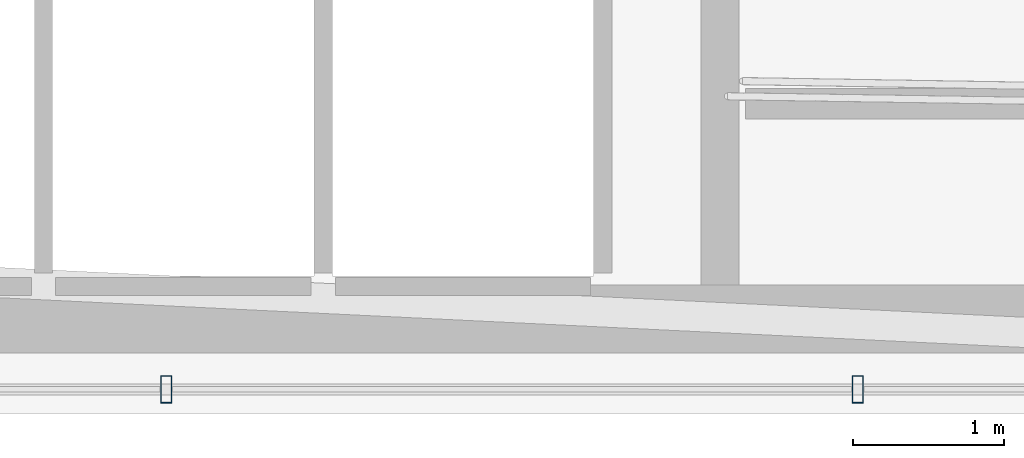
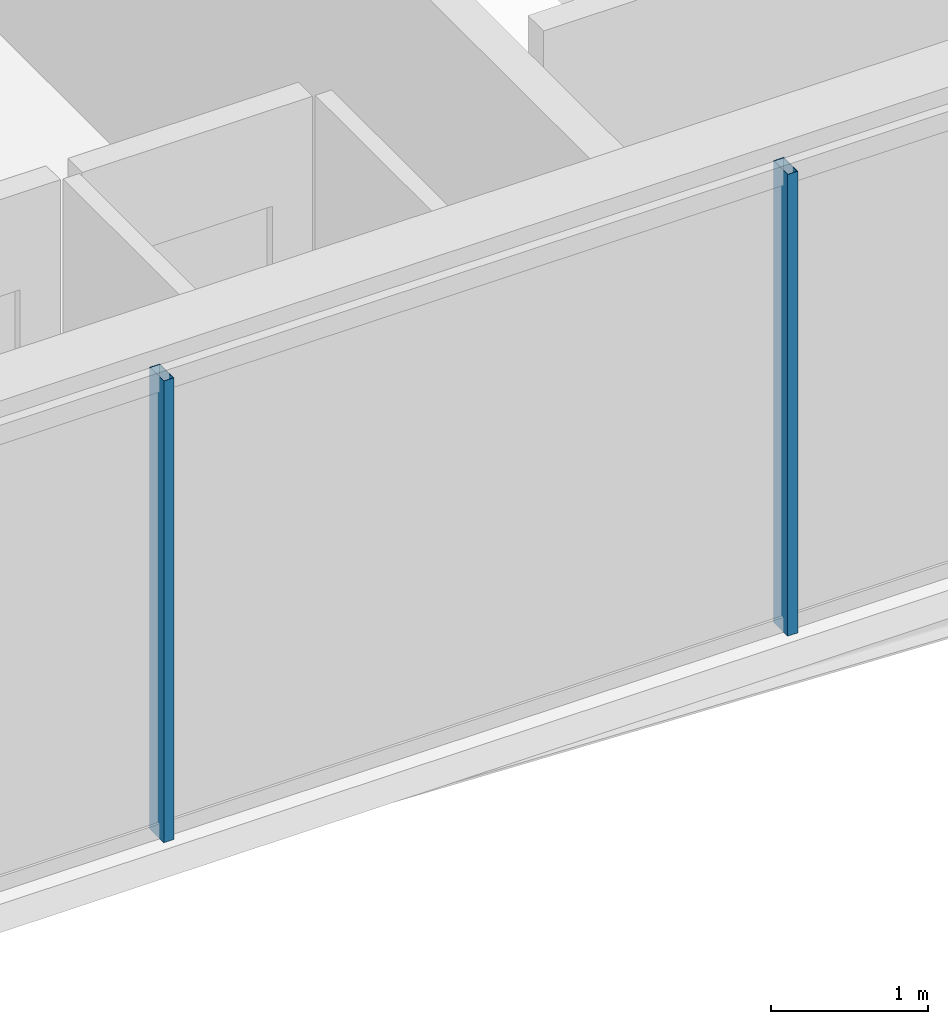
# One storey, part 7 of 32: 2 members, 1 element without a shape of its own.
"""IFC4 building model written with IfcOpenShell, lengths in metres."""

from ifc_helpers import new_model, si_unit, direction, frame, origin, origin_2d, place, context, subcontext, project, spatial, hollow_rectangle, extrude, material, layer, layer_set, material_profile, profile_set, type_object, element, aggregate, save


model = new_model("IFC4")

# Units and contexts
model_context = context("Model", 3, precision=1e-05, world=origin(), true_north=direction((0.0, 1.0)))
body_context = subcontext(model_context, "Body", "Model", "MODEL_VIEW")
ifc_project = project(units=[si_unit("LENGTHUNIT", "METRE"), si_unit("AREAUNIT", "SQUARE_METRE"), si_unit("VOLUMEUNIT", "CUBIC_METRE"), si_unit("PLANEANGLEUNIT", "RADIAN"), si_unit("MASSUNIT", "GRAM", prefix="KILO")], contexts=[model_context])

# Site, building, storey
site_placement = place(None, origin())
site = spatial("IfcSite", under=ifc_project, at=site_placement, CompositionType="ELEMENT")
building_placement = place(site_placement, origin())
building = spatial("IfcBuilding", under=site, at=building_placement, Name="Ndaravel Arena Tower", CompositionType="ELEMENT")
storey_placement = place(building_placement, frame((0.0, 0.0, 70.199951171875)))
storey = spatial("IfcBuildingStorey", under=building, at=storey_placement, Name="L15", CompositionType="ELEMENT", Elevation=70.199951171875)

# Curtain wall, members
ifc_material_1 = material(Name="Aluminium", Category="aluminium")
ifc_layer = layer(ifc_material_1, 0.179931640625)
ifc_layer_set = layer_set([ifc_layer], Name="Aluminium")
curtain_wall_type = type_object("IfcCurtainWallType", Name="CW-SYS-03", PredefinedType="NOTDEFINED", material=ifc_layer_set)
curtain_wall_placement = place(storey_placement, origin())
curtain_wall = element("IfcCurtainWall", 1, at=curtain_wall_placement, inside=storey, type_object=curtain_wall_type, Name="L15 Faceted Crystal Curtain Wall CW-L15-E01", PredefinedType="NOTDEFINED")
ifc_material_2 = material(Name="Aluminium", Category="aluminium")
ifc_material_profile = material_profile(ifc_material_2, hollow_rectangle(XDim=0.074951171875, YDim=0.179931640625, WallThickness=0.00390625, at=origin_2d()), Name="CW MULLION 75x180x4")
ifc_profile_set = profile_set([ifc_material_profile], Name="Aluminium")
member_type = type_object("IfcMemberType", Name="MEM-CW-MUL180", PredefinedType="MULLION", material=ifc_profile_set)
member_1_placement = place(storey_placement, frame((35.136474609375, 5.159912109375, 0.0), z_axis=(0.0, 0.0, 1.0), x_axis=(1.0, 0.0, 0.0)))
member_1 = element("IfcMember", 2, at=member_1_placement, type_object=member_type, Name="CW-L15-E01 Mullion 02", PredefinedType="MULLION", context=body_context, shape_type="SweptSolid", body=[
    extrude(hollow_rectangle(XDim=0.074951171875, YDim=0.179931640625, WallThickness=0.00390625, at=origin_2d()), origin(), (0.0, 0.0, 1.0), 3.580078125),
])
member_2_placement = place(storey_placement, frame((39.712158203125, 5.159912109375, 0.0), z_axis=(0.0, 0.0, 1.0), x_axis=(1.0, 0.0, 0.0)))
member_2 = element("IfcMember", 3, at=member_2_placement, type_object=member_type, Name="CW-L15-E01 Mullion 03", PredefinedType="MULLION", context=body_context, shape_type="SweptSolid", body=[
    extrude(hollow_rectangle(XDim=0.074951171875, YDim=0.179931640625, WallThickness=0.00390625, at=origin_2d()), origin(), (0.0, 0.0, 1.0), 3.580078125),
])
aggregate(curtain_wall, [member_1, member_2])

save(model, "model.ifc")
